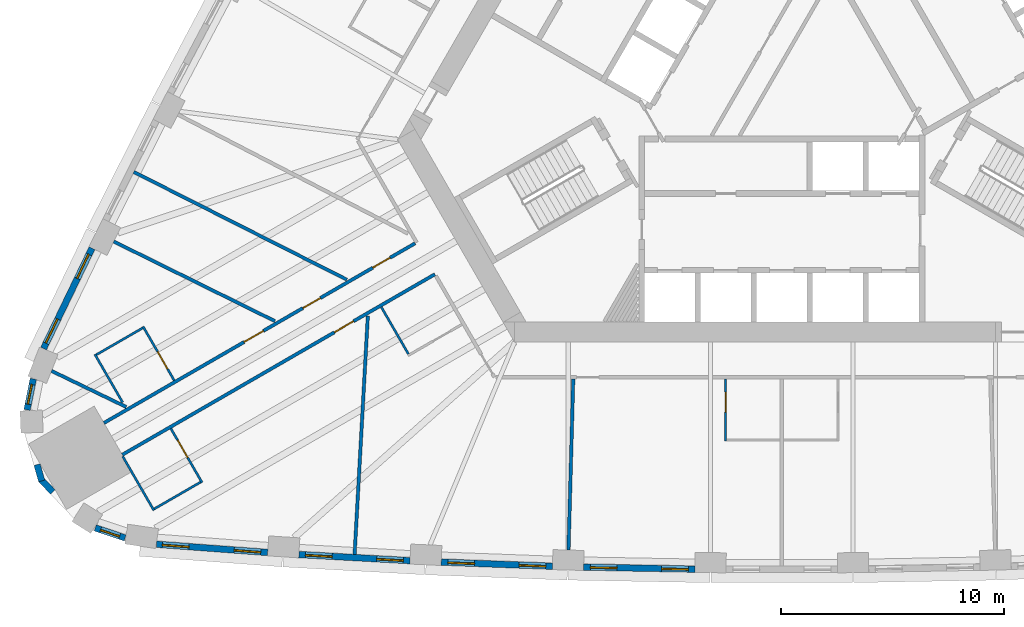
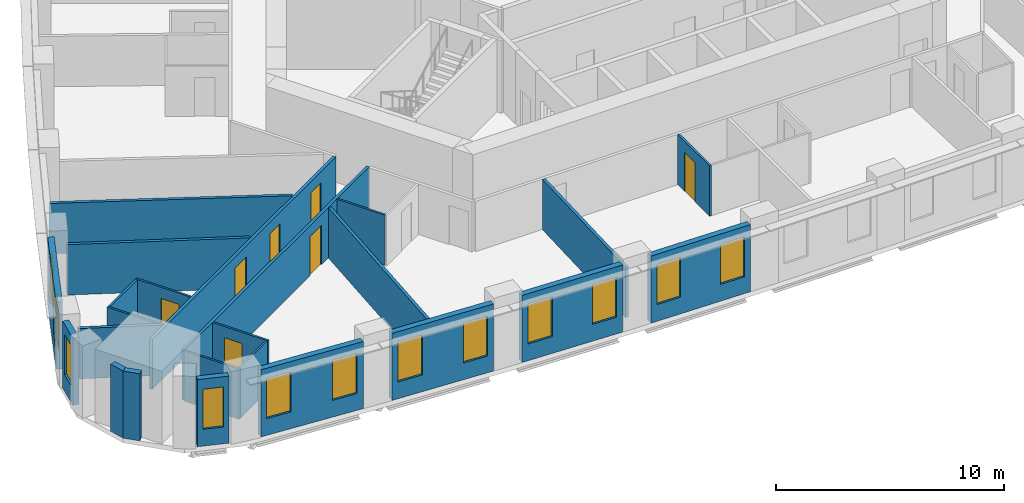
# One storey, part 3 of 12: 24 walls, 12 windows, 7 doors, 19 openings.
"""IFC4 building model written with IfcOpenShell, lengths in metres."""

import ifcopenshell
import ifcopenshell.guid

model = None  # the IFC model being written
_history = None  # IfcOwnerHistory: only IFC2X3 demands one
_inside = {}  # id of a spatial element -> (the spatial element, [elements in it])
_under = {}  # id of a project, library or spatial element -> (it, [spatial elements below it])
_declared = {}  # id of a project -> (the project, [libraries it declares])
_typed = {}  # id of a type object -> (the type object, [elements of that type])
_made_of = {}  # id of a material, layer set ... -> (it, [elements and type objects made of it])


def new_model(schema):
    """Start an empty IFC model of exactly this schema.

    Asked for "IFC4X3", IfcOpenShell would pick the latest addendum, in which some entities
    have other attributes; the version numbers below select the first issue.
    IFC2X3 requires an IfcOwnerHistory on every rooted entity: one is made here for all.
    """
    global model, _history
    if schema == "IFC4X3":
        model = ifcopenshell.file(schema_version=(4, 3, 0, 0))
    else:
        model = ifcopenshell.file(schema=schema)
    _inside.clear()
    _under.clear()
    _declared.clear()
    _typed.clear()
    _made_of.clear()
    _history = None
    if model.schema == "IFC2X3":
        org = make("IfcOrganization", Name="unknown")
        user = make(
            "IfcPersonAndOrganization",
            ThePerson=make("IfcPerson", FamilyName="unknown"),
            TheOrganization=org,
        )
        app = make(
            "IfcApplication",
            ApplicationDeveloper=org,
            Version="unknown",
            ApplicationFullName="unknown",
            ApplicationIdentifier="unknown",
        )
        _history = make(
            "IfcOwnerHistory",
            OwningUser=user,
            OwningApplication=app,
            ChangeAction="ADDED",
            CreationDate=0,
        )
    return model


def make(cls, **values):
    """One entity of the class cls with the attributes given. An attribute that is None is left unset."""
    return model.create_entity(
        cls, **{name: value for name, value in values.items() if value is not None}
    )


def rooted(cls, **values):
    """An entity with a GlobalId (a new one), such as an element, a storey or a relation."""
    return make(cls, GlobalId=ifcopenshell.guid.new(), OwnerHistory=_history, **values)


def si_unit(unit_type, name, prefix=None):
    """IfcSIUnit, for example si_unit("LENGTHUNIT", "METRE", prefix="MILLI")."""
    return make("IfcSIUnit", UnitType=unit_type, Prefix=prefix, Name=name)


def assignment(units):
    """IfcUnitAssignment: the units of a project."""
    return None if units is None else make("IfcUnitAssignment", Units=units)


def point(xyz):
    """IfcCartesianPoint."""
    return None if xyz is None else make("IfcCartesianPoint", Coordinates=xyz)


def direction(xyz):
    """IfcDirection."""
    return None if xyz is None else make("IfcDirection", DirectionRatios=xyz)


def frame(location, z_axis=None, x_axis=None):
    """IfcAxis2Placement3D, a coordinate frame: its origin and axes. An axis left out is left unset."""
    return make(
        "IfcAxis2Placement3D",
        Location=point(location),
        Axis=direction(z_axis),
        RefDirection=direction(x_axis),
    )


def frame_2d(location, x_axis=None):
    """IfcAxis2Placement2D, a coordinate frame in the plane: its origin and x axis."""
    return make(
        "IfcAxis2Placement2D", Location=point(location), RefDirection=direction(x_axis)
    )


def origin():
    """The frame at (0, 0, 0) with its axes left unset."""
    return frame((0.0, 0.0, 0.0))


def place(relative_to, where):
    """IfcLocalPlacement: puts the frame where relative to a parent placement (None: the world)."""
    return make(
        "IfcLocalPlacement", PlacementRelTo=relative_to, RelativePlacement=where
    )


def context(
    kind, dimensions, precision=None, world=None, true_north=None, identifier=None
):
    """IfcGeometricRepresentationContext, for example the 3D "Model" context."""
    return make(
        "IfcGeometricRepresentationContext",
        ContextIdentifier=identifier,
        ContextType=kind,
        CoordinateSpaceDimension=dimensions,
        Precision=precision,
        WorldCoordinateSystem=world,
        TrueNorth=true_north,
    )


def subcontext(parent, identifier, kind, view, scale=None):
    """IfcGeometricRepresentationSubContext, for example "Body" below "Model"."""
    return make(
        "IfcGeometricRepresentationSubContext",
        ContextIdentifier=identifier,
        ContextType=kind,
        ParentContext=parent,
        TargetScale=scale,
        TargetView=view,
    )


def project(units=None, contexts=None):
    """IfcProject with its units and contexts."""
    return rooted(
        "IfcProject",
        Name="project",
        RepresentationContexts=contexts,
        UnitsInContext=assignment(units),
    )


def spatial(cls, under=None, at=None, **own):
    """A site, building, storey or space (cls), placed at a placement, below another one or the project."""
    s = rooted(cls, ObjectPlacement=at, **own)
    if under is not None:
        _under.setdefault(under.id(), (under, []))[1].append(s)
    return s


def profile(cls, at=None, kind="AREA", **sizes):
    """A parametric profile (cls). Its sizes go by their IFC names, for example OverallWidth=200.0."""
    return make(cls, ProfileType=kind, Position=at, **sizes)


def rectangle(**sizes):
    """IfcRectangleProfileDef."""
    return profile("IfcRectangleProfileDef", **sizes)


def extrude(swept, where, along, depth):
    """IfcExtrudedAreaSolid: the profile swept, set in the frame where, extruded along a direction by depth."""
    return make(
        "IfcExtrudedAreaSolid",
        SweptArea=swept,
        Position=where,
        ExtrudedDirection=direction(along),
        Depth=depth,
    )


def shape(context_of_items, identifier, shape_type, items):
    """IfcShapeRepresentation: the items that make up one representation, for example the "Body"."""
    return make(
        "IfcShapeRepresentation",
        ContextOfItems=context_of_items,
        RepresentationIdentifier=identifier,
        RepresentationType=shape_type,
        Items=items,
    )


def material(Name=None, Category=None):
    """IfcMaterial."""
    return make("IfcMaterial", Name=Name, Category=Category)


def layer(
    of_material, thickness, ventilated=None, Name=None, Category=None, Priority=None
):
    """IfcMaterialLayer: one layer of a wall or slab, of a material (None: an air gap)."""
    return make(
        "IfcMaterialLayer",
        Material=of_material,
        LayerThickness=thickness,
        IsVentilated=ventilated,
        Name=Name,
        Category=Category,
        Priority=Priority,
    )


def layer_set(layers, Name=None):
    """IfcMaterialLayerSet."""
    return make("IfcMaterialLayerSet", MaterialLayers=layers, LayerSetName=Name)


def made_of(thing, what):
    """Note that an element or type object is made of a material, layer set ...; save() writes the relation."""
    if what is not None:
        _made_of.setdefault(what.id(), (what, []))[1].append(thing)
    return thing


def type_object(cls, material=None, **own):
    """A type object (cls), such as IfcWallType, which elements share."""
    return made_of(rooted(cls, **own), material)


def element(
    cls,
    number,
    at=None,
    inside=None,
    cuts=None,
    type_object=None,
    material=None,
    context=None,
    identifier="Body",
    shape_type=None,
    held_by="IfcProductDefinitionShape",
    body=None,
    shapes=None,
    **own,
):
    """One element of the class cls, such as IfcWall. Its Tag is "e" and its number.

    at: its placement. inside: the storey or other place that contains it. cuts: it is an
    opening in that element (IfcRelVoidsElement). A single representation is given by context,
    identifier, shape_type and body (its items); several are given by shapes. held_by: the class
    of the entity that holds the representations. save() writes the other relations.
    """
    e = rooted(cls, Tag="e%d" % number, ObjectPlacement=at, **own)
    if body is not None:
        shapes = [shape(context, identifier, shape_type, body)]
    if shapes is not None:
        e.Representation = make(held_by, Representations=shapes)
    if inside is not None:
        _inside.setdefault(inside.id(), (inside, []))[1].append(e)
    if cuts is not None:
        rooted(
            "IfcRelVoidsElement", RelatingBuildingElement=cuts, RelatedOpeningElement=e
        )
    if type_object is not None:
        _typed.setdefault(type_object.id(), (type_object, []))[1].append(e)
    return made_of(e, material)


def fill(opening, filler):
    """IfcRelFillsElement: the door or window that sits in an opening."""
    return rooted(
        "IfcRelFillsElement",
        RelatingOpeningElement=opening,
        RelatedBuildingElement=filler,
    )


def aggregate(whole, parts):
    """IfcRelAggregates: a whole, such as a stair, and the parts it consists of."""
    return rooted("IfcRelAggregates", RelatingObject=whole, RelatedObjects=parts)


def save(model, path):
    """Write the relations noted so far, then the file.

    IfcRelAggregates (storeys below a building ...), IfcRelContainedInSpatialStructure (elements
    in a storey), IfcRelDefinesByType, IfcRelAssociatesMaterial and IfcRelDeclares: one each for
    every whole, place, type object, material and project.
    """
    for whole, parts in _under.values():
        aggregate(whole, parts)
    for where, things in _inside.values():
        rooted(
            "IfcRelContainedInSpatialStructure",
            RelatedElements=things,
            RelatingStructure=where,
        )
    for kind, things in _typed.values():
        rooted("IfcRelDefinesByType", RelatedObjects=things, RelatingType=kind)
    for what, things in _made_of.values():
        rooted("IfcRelAssociatesMaterial", RelatedObjects=things, RelatingMaterial=what)
    for by, libraries in _declared.values():
        rooted("IfcRelDeclares", RelatingContext=by, RelatedDefinitions=libraries)
    model.write(path)


model = new_model("IFC4")

# Units and contexts
model_context = context("Model", 3, precision=1e-05, world=origin(), true_north=direction((0.0, 1.0)))
body_context = subcontext(model_context, "Body", "Model", "MODEL_VIEW")
ifc_project = project(units=[si_unit("LENGTHUNIT", "METRE"), si_unit("AREAUNIT", "SQUARE_METRE"), si_unit("VOLUMEUNIT", "CUBIC_METRE"), si_unit("PLANEANGLEUNIT", "RADIAN"), si_unit("MASSUNIT", "GRAM", prefix="KILO")], contexts=[model_context])

# Site, building, storey
site_placement = place(None, origin())
site = spatial("IfcSite", under=ifc_project, at=site_placement, CompositionType="ELEMENT")
building_placement = place(site_placement, origin())
building = spatial("IfcBuilding", under=site, at=building_placement, Name="Mestral Congress Tower", CompositionType="ELEMENT")
storey_placement = place(building_placement, frame((0.0, 0.0, 74.39990234375)))
storey = spatial("IfcBuildingStorey", under=building, at=storey_placement, Name="L17", CompositionType="ELEMENT", Elevation=74.39990234375)

# Wall, openings, windows
ifc_material_1 = material(Name="Precast concrete C40/50 with limestone facing", Category="masonry")
ifc_layer_1 = layer(ifc_material_1, 0.2900390625)
ifc_layer_set_1 = layer_set([ifc_layer_1], Name="Precast concrete C40/50 with limestone facing")
wall_type_1 = type_object("IfcWallType", Name="Facade stone wall 290", PredefinedType="SOLIDWALL", material=ifc_layer_set_1)
wall_1_placement = place(storey_placement, frame((-28.097900390625, -22.086181640625, 0.0), z_axis=(0.0, 0.0, 1.0), x_axis=(0.997266290399, -0.073891447643, 0.0)))
wall_1 = element("IfcWall", 1, at=wall_1_placement, inside=storey, type_object=wall_type_1, Name="Facade wall F0-00", PredefinedType="SOLIDWALL", context=body_context, shape_type="SweptSolid", body=[
    extrude(rectangle(XDim=5.005615234375, YDim=0.2900390625, at=frame_2d((2.5029296875, 0.0))), origin(), (0.0, 0.0, 1.0), 3.60009765625),
])
opening_1_placement = place(wall_1_placement, frame((0.26513671875, 0.0, 0.89990234375)))
opening_1 = element("IfcOpeningElement", 2, at=opening_1_placement, cuts=wall_1, Name="Opening W1", PredefinedType="OPENING", context=body_context, shape_type="SweptSolid", body=[
    extrude(rectangle(XDim=1.199951171875, YDim=2.14990234375, at=frame_2d((0.60009765625, 1.074951171875))), frame((0.0, 0.155029296875, 0.0), z_axis=(0.0, -1.0, 0.0), x_axis=(1.0, 0.0, 0.0)), (0.0, 0.0, 1.0), 0.31005859375),
])
opening_2_placement = place(wall_1_placement, frame((3.49560546875, 0.0, 0.89990234375)))
opening_2 = element("IfcOpeningElement", 3, at=opening_2_placement, cuts=wall_1, Name="Opening W1", PredefinedType="OPENING", context=body_context, shape_type="SweptSolid", body=[
    extrude(rectangle(XDim=1.199951171875, YDim=2.14990234375, at=frame_2d((0.60009765625, 1.074951171875))), frame((0.0, 0.155029296875, 0.0), z_axis=(0.0, -1.0, 0.0), x_axis=(1.0, 0.0, 0.0)), (0.0, 0.0, 1.0), 0.31005859375),
])
ifc_material_2 = material(Name="Clear low-emissivity double glazing", Category="glass")
window_type_1 = type_object("IfcWindowType", Name="Facade punched window 1200 x 2150 sill 900", PartitioningType="DOUBLE_PANEL_VERTICAL", PredefinedType="WINDOW", material=ifc_material_2)
window_1_placement = place(opening_1_placement, origin())
window_1 = element("IfcWindow", 4, at=window_1_placement, inside=storey, type_object=window_type_1, Name="Window F0-00a", OverallHeight=2.14990234375, OverallWidth=1.199951171875, PartitioningType="DOUBLE_PANEL_VERTICAL", PredefinedType="WINDOW", context=body_context, shape_type="SweptSolid", body=[
    extrude(rectangle(XDim=1.199951171875, YDim=2.14990234375, at=frame_2d((0.60009765625, 1.074951171875))), frame((0.0, 0.01513671875, 0.0), z_axis=(0.0, -1.0, 0.0), x_axis=(1.0, 0.0, 0.0)), (0.0, 0.0, 1.0), 0.06005859375),
])
fill(opening_1, window_1)
window_2_placement = place(opening_2_placement, origin())
window_2 = element("IfcWindow", 5, at=window_2_placement, inside=storey, type_object=window_type_1, Name="Window F0-00b", OverallHeight=2.14990234375, OverallWidth=1.199951171875, PartitioningType="DOUBLE_PANEL_VERTICAL", PredefinedType="WINDOW", context=body_context, shape_type="SweptSolid", body=[
    extrude(rectangle(XDim=1.199951171875, YDim=2.14990234375, at=frame_2d((0.60009765625, 1.074951171875))), frame((0.0, 0.01513671875, 0.0), z_axis=(0.0, -1.0, 0.0), x_axis=(1.0, 0.0, 0.0)), (0.0, 0.0, 1.0), 0.06005859375),
])
fill(opening_2, window_2)

wall_2_placement = place(storey_placement, frame((-21.701416015625, -22.547119140625, 0.0), z_axis=(0.0, 0.0, 1.0), x_axis=(0.998464708705, -0.055391564976, 0.0)))
wall_2 = element("IfcWall", 6, at=wall_2_placement, inside=storey, type_object=wall_type_1, Name="Facade wall F0-01", PredefinedType="SOLIDWALL", context=body_context, shape_type="SweptSolid", body=[
    extrude(rectangle(XDim=4.998046875, YDim=0.2900390625, at=frame_2d((2.4990234375, 0.0))), origin(), (0.0, 0.0, 1.0), 3.60009765625),
])
opening_3_placement = place(wall_2_placement, frame((0.297119140625, 0.0, 0.89990234375)))
opening_3 = element("IfcOpeningElement", 7, at=opening_3_placement, cuts=wall_2, Name="Opening W1", PredefinedType="OPENING", context=body_context, shape_type="SweptSolid", body=[
    extrude(rectangle(XDim=1.199951171875, YDim=2.14990234375, at=frame_2d((0.60009765625, 1.074951171875))), frame((0.0, 0.155029296875, 0.0), z_axis=(0.0, -1.0, 0.0), x_axis=(1.0, 0.0, 0.0)), (0.0, 0.0, 1.0), 0.31005859375),
])
opening_4_placement = place(wall_2_placement, frame((3.501220703125, 0.0, 0.89990234375)))
opening_4 = element("IfcOpeningElement", 8, at=opening_4_placement, cuts=wall_2, Name="Opening W1", PredefinedType="OPENING", context=body_context, shape_type="SweptSolid", body=[
    extrude(rectangle(XDim=1.199951171875, YDim=2.14990234375, at=frame_2d((0.60009765625, 1.074951171875))), frame((0.0, 0.155029296875, 0.0), z_axis=(0.0, -1.0, 0.0), x_axis=(1.0, 0.0, 0.0)), (0.0, 0.0, 1.0), 0.31005859375),
])
window_3_placement = place(opening_3_placement, origin())
window_3 = element("IfcWindow", 9, at=window_3_placement, inside=storey, type_object=window_type_1, Name="Window F0-01a", OverallHeight=2.14990234375, OverallWidth=1.199951171875, PartitioningType="DOUBLE_PANEL_VERTICAL", PredefinedType="WINDOW", context=body_context, shape_type="SweptSolid", body=[
    extrude(rectangle(XDim=1.199951171875, YDim=2.14990234375, at=frame_2d((0.60009765625, 1.074951171875))), frame((0.0, 0.01513671875, 0.0), z_axis=(0.0, -1.0, 0.0), x_axis=(1.0, 0.0, 0.0)), (0.0, 0.0, 1.0), 0.06005859375),
])
fill(opening_3, window_3)
window_4_placement = place(opening_4_placement, origin())
window_4 = element("IfcWindow", 10, at=window_4_placement, inside=storey, type_object=window_type_1, Name="Window F0-01b", OverallHeight=2.14990234375, OverallWidth=1.199951171875, PartitioningType="DOUBLE_PANEL_VERTICAL", PredefinedType="WINDOW", context=body_context, shape_type="SweptSolid", body=[
    extrude(rectangle(XDim=1.199951171875, YDim=2.14990234375, at=frame_2d((0.60009765625, 1.074951171875))), frame((0.0, 0.01513671875, 0.0), z_axis=(0.0, -1.0, 0.0), x_axis=(1.0, 0.0, 0.0)), (0.0, 0.0, 1.0), 0.06005859375),
])
fill(opening_4, window_4)

wall_3_placement = place(storey_placement, frame((-15.30517578125, -22.88916015625, 0.0), z_axis=(0.0, 0.0, 1.0), x_axis=(0.999317974969, -0.036926750529, 0.0)))
wall_3 = element("IfcWall", 11, at=wall_3_placement, inside=storey, type_object=wall_type_1, Name="Facade wall F0-02", PredefinedType="SOLIDWALL", context=body_context, shape_type="SweptSolid", body=[
    extrude(rectangle(XDim=4.998291015625, YDim=0.2900390625, at=frame_2d((2.4990234375, 0.0))), origin(), (0.0, 0.0, 1.0), 3.60009765625),
])
opening_5_placement = place(wall_3_placement, frame((0.297119140625, 0.0, 0.89990234375)))
opening_5 = element("IfcOpeningElement", 12, at=opening_5_placement, cuts=wall_3, Name="Opening W1", PredefinedType="OPENING", context=body_context, shape_type="SweptSolid", body=[
    extrude(rectangle(XDim=1.199951171875, YDim=2.14990234375, at=frame_2d((0.60009765625, 1.074951171875))), frame((0.0, 0.155029296875, 0.0), z_axis=(0.0, -1.0, 0.0), x_axis=(1.0, 0.0, 0.0)), (0.0, 0.0, 1.0), 0.31005859375),
])
opening_6_placement = place(wall_3_placement, frame((3.501220703125, 0.0, 0.89990234375)))
opening_6 = element("IfcOpeningElement", 13, at=opening_6_placement, cuts=wall_3, Name="Opening W1", PredefinedType="OPENING", context=body_context, shape_type="SweptSolid", body=[
    extrude(rectangle(XDim=1.199951171875, YDim=2.14990234375, at=frame_2d((0.60009765625, 1.074951171875))), frame((0.0, 0.155029296875, 0.0), z_axis=(0.0, -1.0, 0.0), x_axis=(1.0, 0.0, 0.0)), (0.0, 0.0, 1.0), 0.31005859375),
])
window_5_placement = place(opening_5_placement, origin())
window_5 = element("IfcWindow", 14, at=window_5_placement, inside=storey, type_object=window_type_1, Name="Window F0-02a", OverallHeight=2.14990234375, OverallWidth=1.199951171875, PartitioningType="DOUBLE_PANEL_VERTICAL", PredefinedType="WINDOW", context=body_context, shape_type="SweptSolid", body=[
    extrude(rectangle(XDim=1.199951171875, YDim=2.14990234375, at=frame_2d((0.60009765625, 1.074951171875))), frame((0.0, 0.01513671875, 0.0), z_axis=(0.0, -1.0, 0.0), x_axis=(1.0, 0.0, 0.0)), (0.0, 0.0, 1.0), 0.06005859375),
])
fill(opening_5, window_5)
window_6_placement = place(opening_6_placement, origin())
window_6 = element("IfcWindow", 15, at=window_6_placement, inside=storey, type_object=window_type_1, Name="Window F0-02b", OverallHeight=2.14990234375, OverallWidth=1.199951171875, PartitioningType="DOUBLE_PANEL_VERTICAL", PredefinedType="WINDOW", context=body_context, shape_type="SweptSolid", body=[
    extrude(rectangle(XDim=1.199951171875, YDim=2.14990234375, at=frame_2d((0.60009765625, 1.074951171875))), frame((0.0, 0.01513671875, 0.0), z_axis=(0.0, -1.0, 0.0), x_axis=(1.0, 0.0, 0.0)), (0.0, 0.0, 1.0), 0.06005859375),
])
fill(opening_6, window_6)

wall_4_placement = place(storey_placement, frame((-8.903564453125, -23.11279296875, 0.0), z_axis=(0.0, 0.0, 1.0), x_axis=(0.999829529479, -0.018463801951, 0.0)))
wall_4 = element("IfcWall", 16, at=wall_4_placement, inside=storey, type_object=wall_type_1, Name="Facade wall F0-03", PredefinedType="SOLIDWALL", context=body_context, shape_type="SweptSolid", body=[
    extrude(rectangle(XDim=4.998046875, YDim=0.2900390625, at=frame_2d((2.4990234375, 0.0))), origin(), (0.0, 0.0, 1.0), 3.60009765625),
])
opening_7_placement = place(wall_4_placement, frame((0.297119140625, 0.0, 0.89990234375)))
opening_7 = element("IfcOpeningElement", 17, at=opening_7_placement, cuts=wall_4, Name="Opening W1", PredefinedType="OPENING", context=body_context, shape_type="SweptSolid", body=[
    extrude(rectangle(XDim=1.199951171875, YDim=2.14990234375, at=frame_2d((0.60009765625, 1.074951171875))), frame((0.0, 0.155029296875, 0.0), z_axis=(0.0, -1.0, 0.0), x_axis=(1.0, 0.0, 0.0)), (0.0, 0.0, 1.0), 0.31005859375),
])
opening_8_placement = place(wall_4_placement, frame((3.501220703125, 0.0, 0.89990234375)))
opening_8 = element("IfcOpeningElement", 18, at=opening_8_placement, cuts=wall_4, Name="Opening W1", PredefinedType="OPENING", context=body_context, shape_type="SweptSolid", body=[
    extrude(rectangle(XDim=1.199951171875, YDim=2.14990234375, at=frame_2d((0.60009765625, 1.074951171875))), frame((0.0, 0.155029296875, 0.0), z_axis=(0.0, -1.0, 0.0), x_axis=(1.0, 0.0, 0.0)), (0.0, 0.0, 1.0), 0.31005859375),
])
window_7_placement = place(opening_7_placement, origin())
window_7 = element("IfcWindow", 19, at=window_7_placement, inside=storey, type_object=window_type_1, Name="Window F0-03a", OverallHeight=2.14990234375, OverallWidth=1.199951171875, PartitioningType="DOUBLE_PANEL_VERTICAL", PredefinedType="WINDOW", context=body_context, shape_type="SweptSolid", body=[
    extrude(rectangle(XDim=1.199951171875, YDim=2.14990234375, at=frame_2d((0.60009765625, 1.074951171875))), frame((0.0, 0.01513671875, 0.0), z_axis=(0.0, -1.0, 0.0), x_axis=(1.0, 0.0, 0.0)), (0.0, 0.0, 1.0), 0.06005859375),
])
fill(opening_7, window_7)
window_8_placement = place(opening_8_placement, origin())
window_8 = element("IfcWindow", 20, at=window_8_placement, inside=storey, type_object=window_type_1, Name="Window F0-03b", OverallHeight=2.14990234375, OverallWidth=1.199951171875, PartitioningType="DOUBLE_PANEL_VERTICAL", PredefinedType="WINDOW", context=body_context, shape_type="SweptSolid", body=[
    extrude(rectangle(XDim=1.199951171875, YDim=2.14990234375, at=frame_2d((0.60009765625, 1.074951171875))), frame((0.0, 0.01513671875, 0.0), z_axis=(0.0, -1.0, 0.0), x_axis=(1.0, 0.0, 0.0)), (0.0, 0.0, 1.0), 0.06005859375),
])
fill(opening_8, window_8)

wall_5_placement = place(storey_placement, frame((-31.000244140625, -8.7822265625, 0.0), z_axis=(0.0, 0.0, 1.0), x_axis=(-0.434664499056, -0.900592456808, 0.0)))
wall_5 = element("IfcWall", 21, at=wall_5_placement, inside=storey, type_object=wall_type_1, Name="Facade wall F2-08", PredefinedType="SOLIDWALL", context=body_context, shape_type="SweptSolid", body=[
    extrude(rectangle(XDim=5.005615234375, YDim=0.2900390625, at=frame_2d((2.5029296875, 0.0))), origin(), (0.0, 0.0, 1.0), 3.60009765625),
])
opening_9_placement = place(wall_5_placement, frame((0.310302734375, 0.0, 0.89990234375)))
opening_9 = element("IfcOpeningElement", 22, at=opening_9_placement, cuts=wall_5, Name="Opening W1", PredefinedType="OPENING", context=body_context, shape_type="SweptSolid", body=[
    extrude(rectangle(XDim=1.199951171875, YDim=2.14990234375, at=frame_2d((0.60009765625, 1.074951171875))), frame((0.0, 0.155029296875, 0.0), z_axis=(0.0, -1.0, 0.0), x_axis=(1.0, 0.0, 0.0)), (0.0, 0.0, 1.0), 0.31005859375),
])
opening_10_placement = place(wall_5_placement, frame((3.54052734375, 0.0, 0.89990234375)))
opening_10 = element("IfcOpeningElement", 23, at=opening_10_placement, cuts=wall_5, Name="Opening W1", PredefinedType="OPENING", context=body_context, shape_type="SweptSolid", body=[
    extrude(rectangle(XDim=1.199951171875, YDim=2.14990234375, at=frame_2d((0.60009765625, 1.074951171875))), frame((0.0, 0.155029296875, 0.0), z_axis=(0.0, -1.0, 0.0), x_axis=(1.0, 0.0, 0.0)), (0.0, 0.0, 1.0), 0.31005859375),
])
window_9_placement = place(opening_9_placement, origin())
window_9 = element("IfcWindow", 24, at=window_9_placement, inside=storey, type_object=window_type_1, Name="Window F2-08a", OverallHeight=2.14990234375, OverallWidth=1.199951171875, PartitioningType="DOUBLE_PANEL_VERTICAL", PredefinedType="WINDOW", context=body_context, shape_type="SweptSolid", body=[
    extrude(rectangle(XDim=1.199951171875, YDim=2.14990234375, at=frame_2d((0.60009765625, 1.074951171875))), frame((0.0, 0.01513671875, 0.0), z_axis=(0.0, -1.0, 0.0), x_axis=(1.0, 0.0, 0.0)), (0.0, 0.0, 1.0), 0.06005859375),
])
fill(opening_9, window_9)
window_10_placement = place(opening_10_placement, origin())
window_10 = element("IfcWindow", 25, at=window_10_placement, inside=storey, type_object=window_type_1, Name="Window F2-08b", OverallHeight=2.14990234375, OverallWidth=1.199951171875, PartitioningType="DOUBLE_PANEL_VERTICAL", PredefinedType="WINDOW", context=body_context, shape_type="SweptSolid", body=[
    extrude(rectangle(XDim=1.199951171875, YDim=2.14990234375, at=frame_2d((0.60009765625, 1.074951171875))), frame((0.0, 0.01513671875, 0.0), z_axis=(0.0, -1.0, 0.0), x_axis=(1.0, 0.0, 0.0)), (0.0, 0.0, 1.0), 0.06005859375),
])
fill(opening_10, window_10)

# Wall, opening, window
wall_6_placement = place(storey_placement, frame((-33.63720703125, -14.656982421875, 0.0), z_axis=(0.0, 0.0, 1.0), x_axis=(-0.198106888228, -0.980180422594, 0.0)))
wall_6 = element("IfcWall", 26, at=wall_6_placement, inside=storey, type_object=wall_type_1, Name="Facade wall K2-0", PredefinedType="SOLIDWALL", context=body_context, shape_type="SweptSolid", body=[
    extrude(rectangle(XDim=1.414794921875, YDim=0.2900390625, at=frame_2d((0.70751953125, 0.0))), origin(), (0.0, 0.0, 1.0), 3.60009765625),
])
opening_11_placement = place(wall_6_placement, frame((0.25732421875, 0.0, 0.89990234375)))
opening_11 = element("IfcOpeningElement", 27, at=opening_11_placement, cuts=wall_6, Name="Opening W3", PredefinedType="OPENING", context=body_context, shape_type="SweptSolid", body=[
    extrude(rectangle(XDim=0.89990234375, YDim=2.14990234375, at=frame_2d((0.449951171875, 1.074951171875))), frame((0.0, 0.155029296875, 0.0), z_axis=(0.0, -1.0, 0.0), x_axis=(1.0, 0.0, 0.0)), (0.0, 0.0, 1.0), 0.31005859375),
])
window_type_2 = type_object("IfcWindowType", Name="Facade punched window 900 x 2150 sill 900", PartitioningType="SINGLE_PANEL", PredefinedType="WINDOW", material=ifc_material_2)
window_11_placement = place(opening_11_placement, origin())
window_11 = element("IfcWindow", 28, at=window_11_placement, inside=storey, type_object=window_type_2, Name="Window K2-0", OverallHeight=2.14990234375, OverallWidth=0.89990234375, PartitioningType="SINGLE_PANEL", PredefinedType="WINDOW", context=body_context, shape_type="SweptSolid", body=[
    extrude(rectangle(XDim=0.89990234375, YDim=2.14990234375, at=frame_2d((0.449951171875, 1.074951171875))), frame((0.0, 0.01513671875, 0.0), z_axis=(0.0, -1.0, 0.0), x_axis=(1.0, 0.0, 0.0)), (0.0, 0.0, 1.0), 0.06005859375),
])
fill(opening_11, window_11)

# Walls
for number, where, z_axis, x_axis, name in (
    (29, (-33.4697265625, -18.507080078125, 0.0), (0.0, 0.0, 1.0), (0.278981320915, -0.960296528464, 0.0), "Facade wall K2-1"),
    (30, (-33.291259765625, -19.180908203125, 0.0), (0.0, 0.0, 1.0), (0.692252359589, -0.721655506903, 0.0), "Facade wall K2-2"),
):
    element("IfcWall", number, at=place(storey_placement, frame(where, z_axis=z_axis, x_axis=x_axis)), inside=storey, type_object=wall_type_1, Name=name, PredefinedType="SOLIDWALL", context=body_context, shape_type="SweptSolid", body=[
        extrude(rectangle(XDim=0.763916015625, YDim=0.2900390625, at=frame_2d((0.3818359375, 0.0))), origin(), (0.0, 0.0, 1.0), 3.60009765625),
    ])

# Wall, opening, window
wall_7_placement = place(storey_placement, frame((-30.852783203125, -21.3515625, 0.0), z_axis=(0.0, 0.0, 1.0), x_axis=(0.947903891592, -0.318556450734, 0.0)))
wall_7 = element("IfcWall", 31, at=wall_7_placement, inside=storey, type_object=wall_type_1, Name="Facade wall K2-3", PredefinedType="SOLIDWALL", context=body_context, shape_type="SweptSolid", body=[
    extrude(rectangle(XDim=1.414794921875, YDim=0.2900390625, at=frame_2d((0.70751953125, 0.0))), origin(), (0.0, 0.0, 1.0), 3.60009765625),
])
opening_12_placement = place(wall_7_placement, frame((0.25732421875, 0.0, 0.89990234375)))
opening_12 = element("IfcOpeningElement", 32, at=opening_12_placement, cuts=wall_7, Name="Opening W3", PredefinedType="OPENING", context=body_context, shape_type="SweptSolid", body=[
    extrude(rectangle(XDim=0.89990234375, YDim=2.14990234375, at=frame_2d((0.449951171875, 1.074951171875))), frame((0.0, 0.155029296875, 0.0), z_axis=(0.0, -1.0, 0.0), x_axis=(1.0, 0.0, 0.0)), (0.0, 0.0, 1.0), 0.31005859375),
])
window_12_placement = place(opening_12_placement, origin())
window_12 = element("IfcWindow", 33, at=window_12_placement, inside=storey, type_object=window_type_2, Name="Window K2-3", OverallHeight=2.14990234375, OverallWidth=0.89990234375, PartitioningType="SINGLE_PANEL", PredefinedType="WINDOW", context=body_context, shape_type="SweptSolid", body=[
    extrude(rectangle(XDim=0.89990234375, YDim=2.14990234375, at=frame_2d((0.449951171875, 1.074951171875))), frame((0.0, 0.01513671875, 0.0), z_axis=(0.0, -1.0, 0.0), x_axis=(1.0, 0.0, 0.0)), (0.0, 0.0, 1.0), 0.06005859375),
])
fill(opening_12, window_12)

# Wall, opening, door
ifc_material_3 = material(Name="Gypsum board partition on metal studs with mineral wool", Category="composite")
ifc_layer_2 = layer(ifc_material_3, 0.10009765625)
ifc_layer_set_2 = layer_set([ifc_layer_2], Name="Gypsum board partition on metal studs with mineral wool")
wall_type_2 = type_object("IfcWallType", Name="Hotel partition wall 100", PredefinedType="PARTITIONING", material=ifc_layer_set_2)
wall_8_placement = place(storey_placement, frame((-26.052490234375, -19.313720703125, 0.0), z_axis=(0.0, 0.0, 1.0), x_axis=(-0.49998411664, 0.866034573852, 0.0)))
wall_8 = element("IfcWall", 34, at=wall_8_placement, inside=storey, type_object=wall_type_2, Name="L17-h-pod01a", PredefinedType="PARTITIONING", context=body_context, shape_type="SweptSolid", body=[
    extrude(rectangle(XDim=2.7998046875, YDim=0.10009765625, at=frame_2d((1.39990234375, 0.0))), origin(), (0.0, 0.0, 1.0), 2.7001953125),
])
opening_13_placement = place(wall_8_placement, frame((1.300048828125, 0.0, 0.0)))
opening_13 = element("IfcOpeningElement", 35, at=opening_13_placement, cuts=wall_8, Name="Opening H05-002", PredefinedType="OPENING", context=body_context, shape_type="SweptSolid", body=[
    extrude(rectangle(XDim=0.89990234375, YDim=2.10009765625, at=frame_2d((0.449951171875, 1.050048828125))), frame((0.0, 0.06005859375, 0.0), z_axis=(0.0, -1.0, 0.0), x_axis=(1.0, 0.0, 0.0)), (0.0, 0.0, 1.0), 0.1201171875),
])
ifc_material_4 = material(Name="Timber veneer door leaf in timber frame", Category="wood")
door_type_1 = type_object("IfcDoorType", Name="Bathroom door 900", OperationType="SINGLE_SWING_LEFT", PredefinedType="DOOR", material=ifc_material_4)
door_1_placement = place(opening_13_placement, origin())
door_1 = element("IfcDoor", 36, at=door_1_placement, inside=storey, type_object=door_type_1, Name="L17-h-d002", OperationType="SINGLE_SWING_LEFT", OverallHeight=2.10009765625, OverallWidth=0.89990234375, PredefinedType="DOOR", context=body_context, shape_type="SweptSolid", body=[
    extrude(rectangle(XDim=0.89990234375, YDim=2.10009765625, at=frame_2d((0.449951171875, 1.050048828125))), frame((0.0, 0.02490234375, 0.0), z_axis=(0.0, -1.0, 0.0), x_axis=(1.0, 0.0, 0.0)), (0.0, 0.0, 1.0), 0.050048828125),
])
fill(opening_13, door_1)

# Walls
wall_9_placement = place(storey_placement, frame((-26.12060546875, -19.29541015625, 0.0), z_axis=(0.0, 0.0, 1.0), x_axis=(-0.866006032174, -0.500033551112, 0.0)))
element("IfcWall", 37, at=wall_9_placement, inside=storey, type_object=wall_type_2, Name="L17-h-pod01b", PredefinedType="PARTITIONING", context=body_context, shape_type="SweptSolid", body=[
    extrude(rectangle(XDim=2.400146484375, YDim=0.10009765625, at=frame_2d((1.2001953125, 0.0))), origin(), (0.0, 0.0, 1.0), 2.7001953125),
])
wall_10_placement = place(storey_placement, frame((-29.617431640625, -18.138916015625, 0.0), z_axis=(0.0, 0.0, 1.0), x_axis=(0.49998411664, -0.866034573852, 0.0)))
element("IfcWall", 38, at=wall_10_placement, inside=storey, type_object=wall_type_2, Name="L17-h-pod01c", PredefinedType="PARTITIONING", context=body_context, shape_type="SweptSolid", body=[
    extrude(rectangle(XDim=2.7998046875, YDim=0.10009765625, at=frame_2d((1.39990234375, 0.0))), origin(), (0.0, 0.0, 1.0), 2.7001953125),
])
wall_11_placement = place(storey_placement, frame((-16.77880859375, -13.5380859375, 0.0), z_axis=(0.0, 0.0, 1.0), x_axis=(-0.500061642096, 0.865989811779, 0.0)))
element("IfcWall", 39, at=wall_11_placement, inside=storey, type_object=wall_type_2, Name="L17-h-pod02b", PredefinedType="PARTITIONING", context=body_context, shape_type="SweptSolid", body=[
    extrude(rectangle(XDim=2.429931640625, YDim=0.10009765625, at=frame_2d((1.21484375, 0.0))), origin(), (0.0, 0.0, 1.0), 2.7001953125),
])

# Wall, opening, door
wall_12_placement = place(storey_placement, frame((-2.52587890625, -14.64990234375, 0.0), z_axis=(0.0, 0.0, 1.0), x_axis=(0.0, -1.0, 0.0)))
wall_12 = element("IfcWall", 40, at=wall_12_placement, inside=storey, type_object=wall_type_2, Name="L17-h-pod03a", PredefinedType="PARTITIONING", context=body_context, shape_type="SweptSolid", body=[
    extrude(rectangle(XDim=2.800048828125, YDim=0.10009765625, at=frame_2d((1.39990234375, 0.0))), origin(), (0.0, 0.0, 1.0), 2.7001953125),
])
opening_14_placement = place(wall_12_placement, frame((0.60009765625, 0.0, 0.0)))
opening_14 = element("IfcOpeningElement", 41, at=opening_14_placement, cuts=wall_12, Name="Opening H05-006", PredefinedType="OPENING", context=body_context, shape_type="SweptSolid", body=[
    extrude(rectangle(XDim=0.89990234375, YDim=2.10009765625, at=frame_2d((0.449951171875, 1.050048828125))), frame((0.0, 0.06005859375, 0.0), z_axis=(0.0, -1.0, 0.0), x_axis=(1.0, 0.0, 0.0)), (0.0, 0.0, 1.0), 0.1201171875),
])
door_2_placement = place(opening_14_placement, origin())
door_2 = element("IfcDoor", 42, at=door_2_placement, inside=storey, type_object=door_type_1, Name="L17-h-d006", OperationType="SINGLE_SWING_RIGHT", OverallHeight=2.10009765625, OverallWidth=0.89990234375, PredefinedType="DOOR", context=body_context, shape_type="SweptSolid", body=[
    extrude(rectangle(XDim=0.89990234375, YDim=2.10009765625, at=frame_2d((0.449951171875, 1.050048828125))), frame((0.0, 0.02490234375, 0.0), z_axis=(0.0, -1.0, 0.0), x_axis=(1.0, 0.0, 0.0)), (0.0, 0.0, 1.0), 0.050048828125),
])
fill(opening_14, door_2)

wall_13_placement = place(storey_placement, frame((-27.30419921875, -14.724853515625, 0.0), z_axis=(0.0, 0.0, 1.0), x_axis=(-0.49998411664, 0.866034573852, 0.0)))
wall_13 = element("IfcWall", 43, at=wall_13_placement, inside=storey, type_object=wall_type_2, Name="L17-h-pod23a", PredefinedType="PARTITIONING", context=body_context, shape_type="SweptSolid", body=[
    extrude(rectangle(XDim=2.7998046875, YDim=0.10009765625, at=frame_2d((1.39990234375, 0.0))), origin(), (0.0, 0.0, 1.0), 2.7001953125),
])
opening_15_placement = place(wall_13_placement, frame((0.60009765625, 0.0, 0.0)))
opening_15 = element("IfcOpeningElement", 44, at=opening_15_placement, cuts=wall_13, Name="Opening H05-041", PredefinedType="OPENING", context=body_context, shape_type="SweptSolid", body=[
    extrude(rectangle(XDim=0.89990234375, YDim=2.10009765625, at=frame_2d((0.449951171875, 1.050048828125))), frame((0.0, 0.06005859375, 0.0), z_axis=(0.0, -1.0, 0.0), x_axis=(1.0, 0.0, 0.0)), (0.0, 0.0, 1.0), 0.1201171875),
])
door_3_placement = place(opening_15_placement, origin())
door_3 = element("IfcDoor", 45, at=door_3_placement, inside=storey, type_object=door_type_1, Name="L17-h-d041", OperationType="SINGLE_SWING_LEFT", OverallHeight=2.10009765625, OverallWidth=0.89990234375, PredefinedType="DOOR", context=body_context, shape_type="SweptSolid", body=[
    extrude(rectangle(XDim=0.89990234375, YDim=2.10009765625, at=frame_2d((0.449951171875, 1.050048828125))), frame((0.0, 0.02490234375, 0.0), z_axis=(0.0, -1.0, 0.0), x_axis=(1.0, 0.0, 0.0)), (0.0, 0.0, 1.0), 0.050048828125),
])
fill(opening_15, door_3)

# Walls
wall_14_placement = place(storey_placement, frame((-28.722412109375, -12.368408203125, 0.0), z_axis=(0.0, 0.0, 1.0), x_axis=(-0.866050077142, -0.499957262057, 0.0)))
element("IfcWall", 46, at=wall_14_placement, inside=storey, type_object=wall_type_2, Name="L17-h-pod23b", PredefinedType="PARTITIONING", context=body_context, shape_type="SweptSolid", body=[
    extrude(rectangle(XDim=2.400146484375, YDim=0.10009765625, at=frame_2d((1.2001953125, 0.0))), origin(), (0.0, 0.0, 1.0), 2.7001953125),
])
wall_15_placement = place(storey_placement, frame((-29.619384765625, -15.715087890625, 0.0), z_axis=(0.0, 0.0, 1.0), x_axis=(-0.500004234368, 0.866022959057, 0.0)))
element("IfcWall", 47, at=wall_15_placement, inside=storey, type_object=wall_type_2, Name="L17-h-pod23c", PredefinedType="PARTITIONING", context=body_context, shape_type="SweptSolid", body=[
    extrude(rectangle(XDim=2.5, YDim=0.10009765625, at=frame_2d((1.25, 0.0))), origin(), (0.0, 0.0, 1.0), 2.7001953125),
])

# Wall, openings, doors
ifc_layer_3 = layer(ifc_material_3, 0.14990234375)
ifc_layer_set_3 = layer_set([ifc_layer_3], Name="Gypsum board partition on metal studs with mineral wool")
wall_type_3 = type_object("IfcWallType", Name="Hotel partition wall 150", PredefinedType="PARTITIONING", material=ifc_layer_set_3)
wall_16_placement = place(storey_placement, frame((-30.462646484375, -16.635009765625, 0.0), z_axis=(0.0, 0.0, 1.0), x_axis=(0.866022394896, 0.500005211512, 0.0)))
wall_16 = element("IfcWall", 48, at=wall_16_placement, inside=storey, type_object=wall_type_3, Name="L17-h-cw10", PredefinedType="PARTITIONING", context=body_context, shape_type="SweptSolid", body=[
    extrude(rectangle(XDim=16.143798828125, YDim=0.14990234375, at=frame_2d((8.07177734375, 0.0))), origin(), (0.0, 0.0, 1.0), 2.7001953125),
])
opening_16_placement = place(wall_16_placement, frame((13.948486328125, 0.0, 0.0)))
opening_16 = element("IfcOpeningElement", 49, at=opening_16_placement, cuts=wall_16, Name="Opening H05-038", PredefinedType="OPENING", context=body_context, shape_type="SweptSolid", body=[
    extrude(rectangle(XDim=0.89990234375, YDim=2.10009765625, at=frame_2d((0.449951171875, 1.050048828125))), frame((0.0, 0.0849609375, 0.0), z_axis=(0.0, -1.0, 0.0), x_axis=(1.0, 0.0, 0.0)), (0.0, 0.0, 1.0), 0.169921875),
])
opening_17_placement = place(wall_16_placement, frame((10.3291015625, 0.0, 0.0)))
opening_17 = element("IfcOpeningElement", 50, at=opening_17_placement, cuts=wall_16, Name="Opening H05-039", PredefinedType="OPENING", context=body_context, shape_type="SweptSolid", body=[
    extrude(rectangle(XDim=0.89990234375, YDim=2.10009765625, at=frame_2d((0.449951171875, 1.050048828125))), frame((0.0, 0.0849609375, 0.0), z_axis=(0.0, -1.0, 0.0), x_axis=(1.0, 0.0, 0.0)), (0.0, 0.0, 1.0), 0.169921875),
])
opening_18_placement = place(wall_16_placement, frame((7.27490234375, 0.0, 0.0)))
opening_18 = element("IfcOpeningElement", 51, at=opening_18_placement, cuts=wall_16, Name="Opening H05-040", PredefinedType="OPENING", context=body_context, shape_type="SweptSolid", body=[
    extrude(rectangle(XDim=1.0, YDim=2.10009765625, at=frame_2d((0.5, 1.050048828125))), frame((0.0, 0.0849609375, 0.0), z_axis=(0.0, -1.0, 0.0), x_axis=(1.0, 0.0, 0.0)), (0.0, 0.0, 1.0), 0.169921875),
])
ifc_material_5 = material(Name="Timber veneer door leaf in metal frame", Category="wood")
door_type_2 = type_object("IfcDoorType", Name="Guest room entrance door 1000", OperationType="SINGLE_SWING_LEFT", PredefinedType="DOOR", material=ifc_material_5)
door_4_placement = place(opening_18_placement, origin())
door_4 = element("IfcDoor", 52, at=door_4_placement, inside=storey, type_object=door_type_2, Name="L17-h-d040", OperationType="SINGLE_SWING_RIGHT", OverallHeight=2.10009765625, OverallWidth=1.0, PredefinedType="DOOR", context=body_context, shape_type="SweptSolid", body=[
    extrude(rectangle(XDim=1.0, YDim=2.10009765625, at=frame_2d((0.5, 1.050048828125))), frame((0.0, 0.02490234375, 0.0), z_axis=(0.0, -1.0, 0.0), x_axis=(1.0, 0.0, 0.0)), (0.0, 0.0, 1.0), 0.050048828125),
])
fill(opening_18, door_4)
door_type_3 = type_object("IfcDoorType", Name="Service room door 900", OperationType="SINGLE_SWING_LEFT", PredefinedType="DOOR", material=ifc_material_5)
door_5_placement = place(opening_16_placement, origin())
door_5 = element("IfcDoor", 53, at=door_5_placement, inside=storey, type_object=door_type_3, Name="L17-h-d038", OperationType="SINGLE_SWING_LEFT", OverallHeight=2.10009765625, OverallWidth=0.89990234375, PredefinedType="DOOR", context=body_context, shape_type="SweptSolid", body=[
    extrude(rectangle(XDim=0.89990234375, YDim=2.10009765625, at=frame_2d((0.449951171875, 1.050048828125))), frame((0.0, 0.02490234375, 0.0), z_axis=(0.0, -1.0, 0.0), x_axis=(1.0, 0.0, 0.0)), (0.0, 0.0, 1.0), 0.050048828125),
])
fill(opening_16, door_5)
door_6_placement = place(opening_17_placement, origin())
door_6 = element("IfcDoor", 54, at=door_6_placement, inside=storey, type_object=door_type_3, Name="L17-h-d039", OperationType="SINGLE_SWING_RIGHT", OverallHeight=2.10009765625, OverallWidth=0.89990234375, PredefinedType="DOOR", context=body_context, shape_type="SweptSolid", body=[
    extrude(rectangle(XDim=0.89990234375, YDim=2.10009765625, at=frame_2d((0.449951171875, 1.050048828125))), frame((0.0, 0.02490234375, 0.0), z_axis=(0.0, -1.0, 0.0), x_axis=(1.0, 0.0, 0.0)), (0.0, 0.0, 1.0), 0.050048828125),
])
fill(opening_17, door_6)

# Wall, opening, door
wall_17_placement = place(storey_placement, frame((-15.58740234375, -9.951904296875, 0.0), z_axis=(0.0, 0.0, 1.0), x_axis=(-0.866022197818, -0.500005552856, 0.0)))
wall_17 = element("IfcWall", 55, at=wall_17_placement, inside=storey, type_object=wall_type_3, Name="L17-h-cw11", PredefinedType="PARTITIONING", context=body_context, shape_type="SweptSolid", body=[
    extrude(rectangle(XDim=16.223876953125, YDim=0.14990234375, at=frame_2d((8.11181640625, 0.0))), origin(), (0.0, 0.0, 1.0), 2.7001953125),
])
opening_19_placement = place(wall_17_placement, frame((4.22021484375, 0.0, 0.0)))
opening_19 = element("IfcOpeningElement", 56, at=opening_19_placement, cuts=wall_17, Name="Opening H05-001", PredefinedType="OPENING", context=body_context, shape_type="SweptSolid", body=[
    extrude(rectangle(XDim=1.0, YDim=2.10009765625, at=frame_2d((0.5, 1.050048828125))), frame((0.0, 0.0849609375, 0.0), z_axis=(0.0, -1.0, 0.0), x_axis=(1.0, 0.0, 0.0)), (0.0, 0.0, 1.0), 0.169921875),
])
door_7_placement = place(opening_19_placement, origin())
door_7 = element("IfcDoor", 57, at=door_7_placement, inside=storey, type_object=door_type_2, Name="L17-h-d001", OperationType="SINGLE_SWING_LEFT", OverallHeight=2.10009765625, OverallWidth=1.0, PredefinedType="DOOR", context=body_context, shape_type="SweptSolid", body=[
    extrude(rectangle(XDim=1.0, YDim=2.10009765625, at=frame_2d((0.5, 1.050048828125))), frame((0.0, 0.02490234375, 0.0), z_axis=(0.0, -1.0, 0.0), x_axis=(1.0, 0.0, 0.0)), (0.0, 0.0, 1.0), 0.050048828125),
])
fill(opening_19, door_7)

# Walls
wall_18_placement = place(storey_placement, frame((-32.8173828125, -14.29638671875, 0.0), z_axis=(0.0, 0.0, 1.0), x_axis=(0.900616957918, -0.434613730927, 0.0)))
element("IfcWall", 58, at=wall_18_placement, inside=storey, type_object=wall_type_3, Name="L17-h-pw01", PredefinedType="PARTITIONING", context=body_context, shape_type="SweptSolid", body=[
    extrude(rectangle(XDim=3.7333984375, YDim=0.14990234375, at=frame_2d((1.86669921875, 0.0))), origin(), (0.0, 0.0, 1.0), 2.7001953125),
])
wall_19_placement = place(storey_placement, frame((-30.017578125, -8.48291015625, 0.0), z_axis=(0.0, 0.0, 1.0), x_axis=(0.896544505264, -0.44295366584, 0.0)))
element("IfcWall", 59, at=wall_19_placement, inside=storey, type_object=wall_type_3, Name="L17-h-pw02", PredefinedType="PARTITIONING", context=body_context, shape_type="SweptSolid", body=[
    extrude(rectangle(XDim=8.078857421875, YDim=0.14990234375, at=frame_2d((4.03955078125, 0.0))), origin(), (0.0, 0.0, 1.0), 2.7001953125),
])
wall_20_placement = place(storey_placement, frame((-29.119873046875, -5.355712890625, 0.0), z_axis=(0.0, 0.0, 1.0), x_axis=(0.892401965553, -0.451241323327, 0.0)))
element("IfcWall", 60, at=wall_20_placement, inside=storey, type_object=wall_type_3, Name="L17-h-pw03", PredefinedType="PARTITIONING", context=body_context, shape_type="SweptSolid", body=[
    extrude(rectangle(XDim=10.728759765625, YDim=0.14990234375, at=frame_2d((5.3642578125, 0.0))), origin(), (0.0, 0.0, 1.0), 2.7001953125),
])
wall_21_placement = place(storey_placement, frame((-19.1982421875, -22.540771484375, 0.0), z_axis=(0.0, 0.0, 1.0), x_axis=(0.055432210572, 0.99846245299, 0.0)))
element("IfcWall", 61, at=wall_21_placement, inside=storey, type_object=wall_type_3, Name="L17-h-pw04", PredefinedType="PARTITIONING", context=body_context, shape_type="SweptSolid", body=[
    extrude(rectangle(XDim=10.72900390625, YDim=0.14990234375, at=frame_2d((5.364501953125, 0.0))), origin(), (0.0, 0.0, 1.0), 2.7001953125),
])
wall_22_placement = place(storey_placement, frame((-9.586181640625, -22.34521484375, 0.0), z_axis=(0.0, 0.0, 1.0), x_axis=(0.027722115646, 0.999615668297, 0.0)))
element("IfcWall", 62, at=wall_22_placement, inside=storey, type_object=wall_type_3, Name="L17-h-pw09", PredefinedType="PARTITIONING", context=body_context, shape_type="SweptSolid", body=[
    extrude(rectangle(XDim=7.688232421875, YDim=0.14990234375, at=frame_2d((3.84423828125, 0.0))), origin(), (0.0, 0.0, 1.0), 2.7001953125),
])

save(model, "model.ifc")
